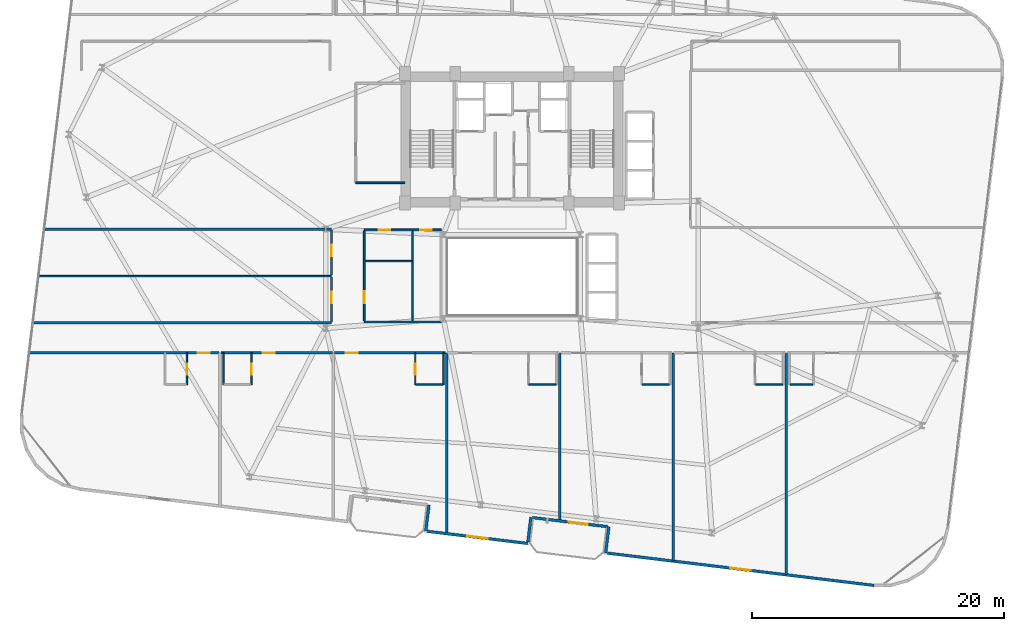
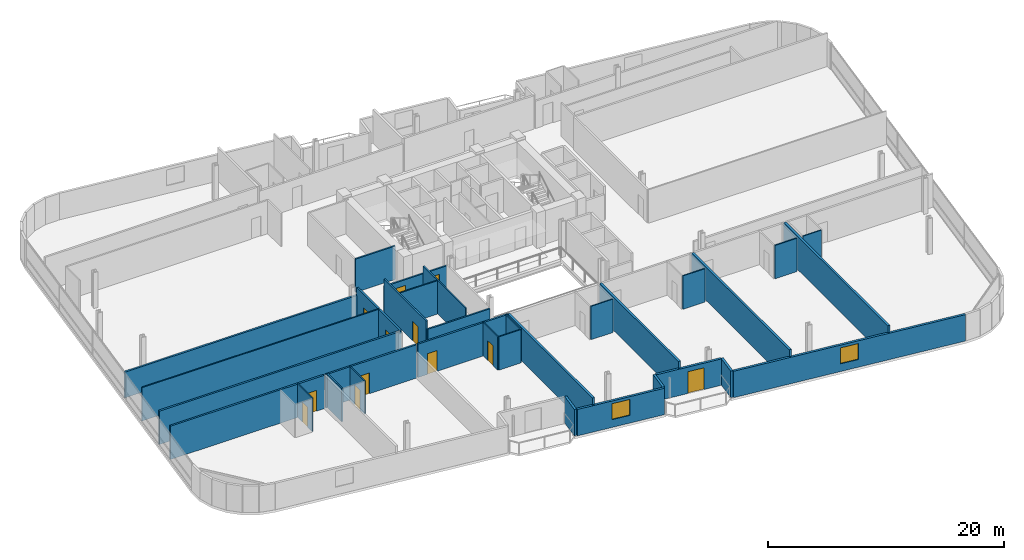
# One storey, part 20 of 26: 34 walls, 12 doors, 2 windows, 14 openings.
"""IFC4 building model written with IfcOpenShell, lengths in metres."""

from ifc_helpers import new_model, si_unit, direction, frame, frame_2d, origin, place, context, subcontext, project, spatial, rectangle, extrude, material, layer, layer_set, type_object, element, fill, save


model = new_model("IFC4")

# Units and contexts
model_context = context("Model", 3, precision=1e-05, world=origin(), true_north=direction((0.0, 1.0)))
body_context = subcontext(model_context, "Body", "Model", "MODEL_VIEW")
ifc_project = project(units=[si_unit("LENGTHUNIT", "METRE"), si_unit("AREAUNIT", "SQUARE_METRE"), si_unit("VOLUMEUNIT", "CUBIC_METRE"), si_unit("PLANEANGLEUNIT", "RADIAN"), si_unit("MASSUNIT", "GRAM", prefix="KILO")], contexts=[model_context])

# Site, building, storey
site_placement = place(None, origin())
site = spatial("IfcSite", under=ifc_project, at=site_placement, CompositionType="ELEMENT")
building_placement = place(site_placement, origin())
building = spatial("IfcBuilding", under=site, at=building_placement, Name="Varnelok Gate Tower", CompositionType="ELEMENT")
storey_placement = place(building_placement, frame((0.0, 0.0, 151.300048828125)))
storey = spatial("IfcBuildingStorey", under=building, at=storey_placement, Name="L38", CompositionType="ELEMENT", Elevation=151.300048828125)

# Wall, opening, door
ifc_material_1 = material(Name="Concrete C45/55", Category="concrete")
ifc_layer_1 = layer(ifc_material_1, 0.219970703125)
ifc_layer_set_1 = layer_set([ifc_layer_1], Name="Concrete C45/55")
wall_type_1 = type_object("IfcWallType", Name="EW-BALC-220", PredefinedType="SOLIDWALL", material=ifc_layer_set_1)
wall_1_placement = place(storey_placement, frame((46.77587890625, 3.03662109375, 0.0), z_axis=(0.0, 0.0, 1.0), x_axis=(-0.992735402148, 0.120318000826, 0.0)))
wall_1 = element("IfcWall", 1, at=wall_1_placement, inside=storey, type_object=wall_type_1, Name="L38 South Terrace Envelope Wall 2", PredefinedType="SOLIDWALL", context=body_context, shape_type="SweptSolid", body=[
    extrude(rectangle(XDim=6.000244140625, YDim=0.219970703125, at=frame_2d((3.0, 0.0))), origin(), (0.0, 0.0, 1.0), 2.72998046875),
])
opening_1_placement = place(wall_1_placement, frame((1.583984375, 0.0, 0.0)))
opening_1 = element("IfcOpeningElement", 2, at=opening_1_placement, cuts=wall_1, Name="Opening BD-1", PredefinedType="OPENING", context=body_context, shape_type="SweptSolid", body=[
    extrude(rectangle(XDim=1.5, YDim=2.25, at=frame_2d((0.75, 1.125))), frame((0.0, 0.119873046875, 0.0), z_axis=(0.0, -1.0, 0.0), x_axis=(1.0, 0.0, 0.0)), (0.0, 0.0, 1.0), 0.239990234375),
])
ifc_material_2 = material(Name="Anodized Aluminum Alloy 6063-T6", Category="aluminium")
door_type_1 = type_object("IfcDoorType", Name="DR-EXT-BALC1500", OperationType="NOTDEFINED", PredefinedType="DOOR", material=ifc_material_2)
door_1_placement = place(opening_1_placement, origin())
door_1 = element("IfcDoor", 3, at=door_1_placement, inside=storey, type_object=door_type_1, Name="L38 South Balcony Glazed Door 2", OperationType="SINGLE_SWING_LEFT", OverallHeight=2.25, OverallWidth=1.5, PredefinedType="DOOR", context=body_context, shape_type="SweptSolid", body=[
    extrude(rectangle(XDim=1.5, YDim=2.25, at=frame_2d((0.75, 1.125))), frame((0.0, 0.02490234375, 0.0), z_axis=(0.0, -1.0, 0.0), x_axis=(1.0, 0.0, 0.0)), (0.0, 0.0, 1.0), 0.050048828125),
])
fill(opening_1, door_1)

# Wall
wall_2_placement = place(storey_placement, frame((32.600830078125, 4.764892578125, 0.0), z_axis=(0.0, 0.0, 1.0), x_axis=(-0.120327895535, -0.992734202874, 0.0)))
element("IfcWall", 4, at=wall_2_placement, inside=storey, type_object=wall_type_1, Name="L38 Perimeter Facade Closure Wall 9", PredefinedType="SOLIDWALL", context=body_context, shape_type="SweptSolid", body=[
    extrude(rectangle(XDim=2.099853515625, YDim=0.219970703125, at=frame_2d((1.0498046875, 0.0))), origin(), (0.0, 0.0, 1.0), 2.72998046875),
])

# Wall, opening, window
wall_3_placement = place(storey_placement, frame((32.47216796875, 2.6650390625, 0.0), z_axis=(0.0, 0.0, 1.0), x_axis=(0.992734661931, -0.120324108143, 0.0)))
wall_3 = element("IfcWall", 5, at=wall_3_placement, inside=storey, type_object=wall_type_1, Name="L38 Perimeter Facade Closure Wall 10", PredefinedType="SOLIDWALL", context=body_context, shape_type="SweptSolid", body=[
    extrude(rectangle(XDim=8.034912109375, YDim=0.219970703125, at=frame_2d((4.017578125, 0.0))), origin(), (0.0, 0.0, 1.0), 2.72998046875),
])
opening_2_placement = place(wall_3_placement, frame((3.1923828125, 0.0, 0.800048828125)))
opening_2 = element("IfcOpeningElement", 6, at=opening_2_placement, cuts=wall_3, Name="Opening WN3", PredefinedType="OPENING", context=body_context, shape_type="SweptSolid", body=[
    extrude(rectangle(XDim=1.64990234375, YDim=1.64990234375, at=frame_2d((0.824951171875, 0.824951171875))), frame((0.0, 0.119873046875, 0.0), z_axis=(0.0, -1.0, 0.0), x_axis=(1.0, 0.0, 0.0)), (0.0, 0.0, 1.0), 0.239990234375),
])
ifc_material_3 = material(Name="Low-E Laminated Double Glazing IGU", Category="glass")
window_type = type_object("IfcWindowType", Name="WN-HTL-1650", PartitioningType="SINGLE_PANEL", PredefinedType="WINDOW", material=ifc_material_3)
window_1_placement = place(opening_2_placement, origin())
window_1 = element("IfcWindow", 7, at=window_1_placement, inside=storey, type_object=window_type, Name="L38 Perimeter Vision Window 10", OverallHeight=1.64990234375, OverallWidth=1.64990234375, PartitioningType="SINGLE_PANEL", PredefinedType="WINDOW", context=body_context, shape_type="SweptSolid", body=[
    extrude(rectangle(XDim=1.64990234375, YDim=1.64990234375, at=frame_2d((0.824951171875, 0.824951171875))), frame((0.0, 0.030029296875, 0.0), z_axis=(0.0, -1.0, 0.0), x_axis=(1.0, 0.0, 0.0)), (0.0, 0.0, 1.0), 0.06005859375),
])
fill(opening_2, window_1)

# Walls
wall_4_placement = place(storey_placement, frame((40.4638671875, 1.822265625, 0.0), z_axis=(0.0, 0.0, 1.0), x_axis=(0.120275992932, 0.992740492538, 0.0)))
element("IfcWall", 8, at=wall_4_placement, inside=storey, type_object=wall_type_1, Name="L38 Perimeter Facade Closure Wall 11", PredefinedType="SOLIDWALL", context=body_context, shape_type="SweptSolid", body=[
    extrude(rectangle(XDim=1.97509765625, YDim=0.219970703125, at=frame_2d((0.987548828125, 0.0))), origin(), (0.0, 0.0, 1.0), 2.72998046875),
])
wall_5_placement = place(storey_placement, frame((46.89599609375, 3.031982421875, 0.0), z_axis=(0.0, 0.0, 1.0), x_axis=(-0.120327895535, -0.992734202874, 0.0)))
element("IfcWall", 9, at=wall_5_placement, inside=storey, type_object=wall_type_1, Name="L38 Perimeter Facade Closure Wall 12", PredefinedType="SOLIDWALL", context=body_context, shape_type="SweptSolid", body=[
    extrude(rectangle(XDim=2.099853515625, YDim=0.219970703125, at=frame_2d((1.0498046875, 0.0))), origin(), (0.0, 0.0, 1.0), 2.72998046875),
])

# Wall, opening, window
wall_6_placement = place(storey_placement, frame((46.767578125, 0.93212890625, 0.0), z_axis=(0.0, 0.0, 1.0), x_axis=(0.992733036814, -0.120337515419, 0.0)))
wall_6 = element("IfcWall", 10, at=wall_6_placement, inside=storey, type_object=wall_type_1, Name="L38 Perimeter Facade Closure Wall 13", PredefinedType="SOLIDWALL", context=body_context, shape_type="SweptSolid", body=[
    extrude(rectangle(XDim=21.346923828125, YDim=0.219970703125, at=frame_2d((10.67333984375, 0.0))), origin(), (0.0, 0.0, 1.0), 2.72998046875),
])
opening_3_placement = place(wall_6_placement, frame((9.8486328125, 0.0, 0.800048828125)))
opening_3 = element("IfcOpeningElement", 11, at=opening_3_placement, cuts=wall_6, Name="Opening WN3", PredefinedType="OPENING", context=body_context, shape_type="SweptSolid", body=[
    extrude(rectangle(XDim=1.64990234375, YDim=1.64990234375, at=frame_2d((0.824951171875, 0.824951171875))), frame((0.0, 0.119873046875, 0.0), z_axis=(0.0, -1.0, 0.0), x_axis=(1.0, 0.0, 0.0)), (0.0, 0.0, 1.0), 0.239990234375),
])
window_2_placement = place(opening_3_placement, origin())
window_2 = element("IfcWindow", 12, at=window_2_placement, inside=storey, type_object=window_type, Name="L38 Perimeter Vision Window 13", OverallHeight=1.64990234375, OverallWidth=1.64990234375, PartitioningType="SINGLE_PANEL", PredefinedType="WINDOW", context=body_context, shape_type="SweptSolid", body=[
    extrude(rectangle(XDim=1.64990234375, YDim=1.64990234375, at=frame_2d((0.824951171875, 0.824951171875))), frame((0.0, 0.030029296875, 0.0), z_axis=(0.0, -1.0, 0.0), x_axis=(1.0, 0.0, 0.0)), (0.0, 0.0, 1.0), 0.06005859375),
])
fill(opening_3, window_2)

# Wall, opening, door
ifc_material_4 = material(Name="Gypsum Plasterboard Acoustic Partition", Category="gypsum")
ifc_layer_2 = layer(ifc_material_4, 0.179931640625)
ifc_layer_set_2 = layer_set([ifc_layer_2], Name="Gypsum Plasterboard Acoustic Partition")
wall_type_2 = type_object("IfcWallType", Name="PW-CORR-180", PredefinedType="PARTITIONING", material=ifc_layer_set_2)
wall_7_placement = place(storey_placement, frame((0.88427734375, 16.85009765625, 0.0), z_axis=(0.0, 0.0, 1.0), x_axis=(1.0, 0.0, 0.0)))
wall_7 = element("IfcWall", 13, at=wall_7_placement, inside=storey, type_object=wall_type_2, Name="Interior Partition", PredefinedType="PARTITIONING", context=body_context, shape_type="SweptSolid", body=[
    extrude(rectangle(XDim=15.03564453125, YDim=0.179931640625, at=frame_2d((7.517822265625, 0.0))), origin(), (0.0, 0.0, 1.0), 3.449951171875),
])
opening_4_placement = place(wall_7_placement, frame((13.329345703125, 0.0, 0.0)))
opening_4 = element("IfcOpeningElement", 14, at=opening_4_placement, cuts=wall_7, Name="Opening D-HT", PredefinedType="OPENING", context=body_context, shape_type="SweptSolid", body=[
    extrude(rectangle(XDim=0.949951171875, YDim=2.14990234375, at=frame_2d((0.47509765625, 1.074951171875))), frame((0.0, 0.099853515625, 0.0), z_axis=(0.0, -1.0, 0.0), x_axis=(1.0, 0.0, 0.0)), (0.0, 0.0, 1.0), 0.199951171875),
])
ifc_material_5 = material(Name="Engineered Hardwood Timber", Category="wood")
door_type_2 = type_object("IfcDoorType", Name="DR-HTL-950", OperationType="NOTDEFINED", PredefinedType="DOOR", material=ifc_material_5)
door_2_placement = place(opening_4_placement, origin())
door_2 = element("IfcDoor", 15, at=door_2_placement, inside=storey, type_object=door_type_2, Name="L38 Guest Room 01 Entrance Door", OperationType="SINGLE_SWING_RIGHT", OverallHeight=2.14990234375, OverallWidth=0.949951171875, PredefinedType="DOOR", context=body_context, shape_type="SweptSolid", body=[
    extrude(rectangle(XDim=0.949951171875, YDim=2.14990234375, at=frame_2d((0.47509765625, 1.074951171875))), frame((0.0, 0.02490234375, 0.0), z_axis=(0.0, -1.0, 0.0), x_axis=(1.0, 0.0, 0.0)), (0.0, 0.0, 1.0), 0.050048828125),
])
fill(opening_4, door_2)

wall_8_placement = place(storey_placement, frame((16.080078125, 16.85009765625, 0.0), z_axis=(0.0, 0.0, 1.0), x_axis=(1.0, 0.0, 0.0)))
wall_8 = element("IfcWall", 16, at=wall_8_placement, inside=storey, type_object=wall_type_2, Name="Interior Partition", PredefinedType="PARTITIONING", context=body_context, shape_type="SweptSolid", body=[
    extrude(rectangle(XDim=8.83984375, YDim=0.179931640625, at=frame_2d((4.419921875, 0.0))), origin(), (0.0, 0.0, 1.0), 3.449951171875),
])
opening_5_placement = place(wall_8_placement, frame((3.307861328125, 0.0, 0.0)))
opening_5 = element("IfcOpeningElement", 17, at=opening_5_placement, cuts=wall_8, Name="Opening D-HT", PredefinedType="OPENING", context=body_context, shape_type="SweptSolid", body=[
    extrude(rectangle(XDim=0.949951171875, YDim=2.14990234375, at=frame_2d((0.47509765625, 1.074951171875))), frame((0.0, 0.099853515625, 0.0), z_axis=(0.0, -1.0, 0.0), x_axis=(1.0, 0.0, 0.0)), (0.0, 0.0, 1.0), 0.199951171875),
])
door_3_placement = place(opening_5_placement, origin())
door_3 = element("IfcDoor", 18, at=door_3_placement, inside=storey, type_object=door_type_2, Name="L38 Guest Room 02 Entrance Door", OperationType="SINGLE_SWING_LEFT", OverallHeight=2.14990234375, OverallWidth=0.949951171875, PredefinedType="DOOR", context=body_context, shape_type="SweptSolid", body=[
    extrude(rectangle(XDim=0.949951171875, YDim=2.14990234375, at=frame_2d((0.47509765625, 1.074951171875))), frame((0.0, 0.02490234375, 0.0), z_axis=(0.0, -1.0, 0.0), x_axis=(1.0, 0.0, 0.0)), (0.0, 0.0, 1.0), 0.050048828125),
])
fill(opening_5, door_3)

wall_9_placement = place(storey_placement, frame((25.080078125, 16.85009765625, 0.0), z_axis=(0.0, 0.0, 1.0), x_axis=(1.0, 0.0, 0.0)))
wall_9 = element("IfcWall", 19, at=wall_9_placement, inside=storey, type_object=wall_type_2, Name="Interior Partition", PredefinedType="PARTITIONING", context=body_context, shape_type="SweptSolid", body=[
    extrude(rectangle(XDim=8.83984375, YDim=0.179931640625, at=frame_2d((4.419921875, 0.0))), origin(), (0.0, 0.0, 1.0), 3.449951171875),
])
opening_6_placement = place(wall_9_placement, frame((0.91796875, 0.0, 0.0)))
opening_6 = element("IfcOpeningElement", 20, at=opening_6_placement, cuts=wall_9, Name="Opening D-HT", PredefinedType="OPENING", context=body_context, shape_type="SweptSolid", body=[
    extrude(rectangle(XDim=0.949951171875, YDim=2.14990234375, at=frame_2d((0.47509765625, 1.074951171875))), frame((0.0, 0.099853515625, 0.0), z_axis=(0.0, -1.0, 0.0), x_axis=(1.0, 0.0, 0.0)), (0.0, 0.0, 1.0), 0.199951171875),
])
door_4_placement = place(opening_6_placement, origin())
door_4 = element("IfcDoor", 21, at=door_4_placement, inside=storey, type_object=door_type_2, Name="L38 Guest Room 03 Entrance Door", OperationType="SINGLE_SWING_RIGHT", OverallHeight=2.14990234375, OverallWidth=0.949951171875, PredefinedType="DOOR", context=body_context, shape_type="SweptSolid", body=[
    extrude(rectangle(XDim=0.949951171875, YDim=2.14990234375, at=frame_2d((0.47509765625, 1.074951171875))), frame((0.0, 0.02490234375, 0.0), z_axis=(0.0, -1.0, 0.0), x_axis=(1.0, 0.0, 0.0)), (0.0, 0.0, 1.0), 0.050048828125),
])
fill(opening_6, door_4)

wall_10_placement = place(storey_placement, frame((24.85009765625, 19.300048828125, 0.0), z_axis=(0.0, 0.0, 1.0), x_axis=(0.0, 1.0, 0.0)))
wall_10 = element("IfcWall", 22, at=wall_10_placement, inside=storey, type_object=wall_type_2, Name="Interior Partition", PredefinedType="PARTITIONING", context=body_context, shape_type="SweptSolid", body=[
    extrude(rectangle(XDim=3.570068359375, YDim=0.179931640625, at=frame_2d((1.78515625, 0.0))), origin(), (0.0, 0.0, 1.0), 3.449951171875),
])
opening_7_placement = place(wall_10_placement, frame((1.49951171875, 0.0, 0.0)))
opening_7 = element("IfcOpeningElement", 23, at=opening_7_placement, cuts=wall_10, Name="Opening D-I3", PredefinedType="OPENING", context=body_context, shape_type="SweptSolid", body=[
    extrude(rectangle(XDim=0.919921875, YDim=2.050048828125, at=frame_2d((0.4599609375, 1.02490234375))), frame((0.0, 0.099853515625, 0.0), z_axis=(0.0, -1.0, 0.0), x_axis=(1.0, 0.0, 0.0)), (0.0, 0.0, 1.0), 0.199951171875),
])
door_type_3 = type_object("IfcDoorType", Name="DR-INT-920", OperationType="NOTDEFINED", PredefinedType="DOOR", material=ifc_material_5)
door_5_placement = place(opening_7_placement, origin())
door_5 = element("IfcDoor", 24, at=door_5_placement, inside=storey, type_object=door_type_3, Name="L38 West Wing Room 1 Door", OperationType="SINGLE_SWING_LEFT", OverallHeight=2.050048828125, OverallWidth=0.919921875, PredefinedType="DOOR", context=body_context, shape_type="SweptSolid", body=[
    extrude(rectangle(XDim=0.919921875, YDim=2.050048828125, at=frame_2d((0.4599609375, 1.02490234375))), frame((0.0, 0.02490234375, 0.0), z_axis=(0.0, -1.0, 0.0), x_axis=(1.0, 0.0, 0.0)), (0.0, 0.0, 1.0), 0.050048828125),
])
fill(opening_7, door_5)

wall_11_placement = place(storey_placement, frame((24.85009765625, 23.030029296875, 0.0), z_axis=(0.0, 0.0, 1.0), x_axis=(0.0, 1.0, 0.0)))
wall_11 = element("IfcWall", 25, at=wall_11_placement, inside=storey, type_object=wall_type_2, Name="Interior Partition", PredefinedType="PARTITIONING", context=body_context, shape_type="SweptSolid", body=[
    extrude(rectangle(XDim=3.570068359375, YDim=0.179931640625, at=frame_2d((1.78515625, 0.0))), origin(), (0.0, 0.0, 1.0), 3.449951171875),
])
opening_8_placement = place(wall_11_placement, frame((1.49951171875, 0.0, 0.0)))
opening_8 = element("IfcOpeningElement", 26, at=opening_8_placement, cuts=wall_11, Name="Opening D-I3", PredefinedType="OPENING", context=body_context, shape_type="SweptSolid", body=[
    extrude(rectangle(XDim=0.919921875, YDim=2.050048828125, at=frame_2d((0.4599609375, 1.02490234375))), frame((0.0, 0.099853515625, 0.0), z_axis=(0.0, -1.0, 0.0), x_axis=(1.0, 0.0, 0.0)), (0.0, 0.0, 1.0), 0.199951171875),
])
door_6_placement = place(opening_8_placement, origin())
door_6 = element("IfcDoor", 27, at=door_6_placement, inside=storey, type_object=door_type_3, Name="L38 West Wing Room 2 Door", OperationType="SINGLE_SWING_RIGHT", OverallHeight=2.050048828125, OverallWidth=0.919921875, PredefinedType="DOOR", context=body_context, shape_type="SweptSolid", body=[
    extrude(rectangle(XDim=0.919921875, YDim=2.050048828125, at=frame_2d((0.4599609375, 1.02490234375))), frame((0.0, 0.02490234375, 0.0), z_axis=(0.0, -1.0, 0.0), x_axis=(1.0, 0.0, 0.0)), (0.0, 0.0, 1.0), 0.050048828125),
])
fill(opening_8, door_6)

# Walls
wall_12_placement = place(storey_placement, frame((1.174072265625, 19.239990234375, 0.0), z_axis=(0.0, 0.0, 1.0), x_axis=(1.0, 0.0, 0.0)))
element("IfcWall", 28, at=wall_12_placement, inside=storey, type_object=wall_type_2, Name="Interior Partition", PredefinedType="PARTITIONING", context=body_context, shape_type="SweptSolid", body=[
    extrude(rectangle(XDim=23.676025390625, YDim=0.179931640625, at=frame_2d((11.837890625, 0.0))), origin(), (0.0, 0.0, 1.0), 3.449951171875),
])
wall_13_placement = place(storey_placement, frame((2.073486328125, 26.659912109375, 0.0), z_axis=(0.0, 0.0, 1.0), x_axis=(1.0, 0.0, 0.0)))
element("IfcWall", 29, at=wall_13_placement, inside=storey, type_object=wall_type_2, Name="Interior Partition", PredefinedType="PARTITIONING", context=body_context, shape_type="SweptSolid", body=[
    extrude(rectangle(XDim=22.776611328125, YDim=0.179931640625, at=frame_2d((11.38818359375, 0.0))), origin(), (0.0, 0.0, 1.0), 2.661865234375),
])

# Wall, opening, door
ifc_layer_3 = layer(ifc_material_4, 0.114990234375)
ifc_layer_set_3 = layer_set([ifc_layer_3], Name="Gypsum Plasterboard Acoustic Partition")
wall_type_3 = type_object("IfcWallType", Name="PW-ENS-125", PredefinedType="PARTITIONING", material=ifc_layer_set_3)
wall_14_placement = place(storey_placement, frame((13.3701171875, 14.330078125, 0.0), z_axis=(0.0, 0.0, 1.0), x_axis=(0.0, 1.0, 0.0)))
wall_14 = element("IfcWall", 30, at=wall_14_placement, inside=storey, type_object=wall_type_3, Name="Interior Partition", PredefinedType="PARTITIONING", context=body_context, shape_type="SweptSolid", body=[
    extrude(rectangle(XDim=2.52001953125, YDim=0.114990234375, at=frame_2d((1.260009765625, 0.0))), origin(), (0.0, 0.0, 1.0), 3.449951171875),
])
opening_9_placement = place(wall_14_placement, frame((0.760009765625, 0.0, 0.0)))
opening_9 = element("IfcOpeningElement", 31, at=opening_9_placement, cuts=wall_14, Name="Opening D-WC", PredefinedType="OPENING", context=body_context, shape_type="SweptSolid", body=[
    extrude(rectangle(XDim=0.89990234375, YDim=2.050048828125, at=frame_2d((0.449951171875, 1.02490234375))), frame((0.0, 0.0673828125, 0.0), z_axis=(0.0, -1.0, 0.0), x_axis=(1.0, 0.0, 0.0)), (0.0, 0.0, 1.0), 0.135009765625),
])
door_type_4 = type_object("IfcDoorType", Name="DR-BATH-900", OperationType="NOTDEFINED", PredefinedType="DOOR", material=ifc_material_5)
door_7_placement = place(opening_9_placement, origin())
door_7 = element("IfcDoor", 32, at=door_7_placement, inside=storey, type_object=door_type_4, Name="L38 Guest En-Suite 01 Door", OperationType="SINGLE_SWING_LEFT", OverallHeight=2.050048828125, OverallWidth=0.89990234375, PredefinedType="DOOR", context=body_context, shape_type="SweptSolid", body=[
    extrude(rectangle(XDim=0.89990234375, YDim=2.050048828125, at=frame_2d((0.449951171875, 1.02490234375))), frame((0.0, 0.02490234375, 0.0), z_axis=(0.0, -1.0, 0.0), x_axis=(1.0, 0.0, 0.0)), (0.0, 0.0, 1.0), 0.050048828125),
])
fill(opening_9, door_7)

wall_15_placement = place(storey_placement, frame((18.489990234375, 14.330078125, 0.0), z_axis=(0.0, 0.0, 1.0), x_axis=(0.0, 1.0, 0.0)))
wall_15 = element("IfcWall", 33, at=wall_15_placement, inside=storey, type_object=wall_type_3, Name="Interior Partition", PredefinedType="PARTITIONING", context=body_context, shape_type="SweptSolid", body=[
    extrude(rectangle(XDim=2.52001953125, YDim=0.114990234375, at=frame_2d((1.260009765625, 0.0))), origin(), (0.0, 0.0, 1.0), 3.449951171875),
])
opening_10_placement = place(wall_15_placement, frame((0.760009765625, 0.0, 0.0)))
opening_10 = element("IfcOpeningElement", 34, at=opening_10_placement, cuts=wall_15, Name="Opening D-WC", PredefinedType="OPENING", context=body_context, shape_type="SweptSolid", body=[
    extrude(rectangle(XDim=0.89990234375, YDim=2.050048828125, at=frame_2d((0.449951171875, 1.02490234375))), frame((0.0, 0.0673828125, 0.0), z_axis=(0.0, -1.0, 0.0), x_axis=(1.0, 0.0, 0.0)), (0.0, 0.0, 1.0), 0.135009765625),
])
door_8_placement = place(opening_10_placement, origin())
door_8 = element("IfcDoor", 35, at=door_8_placement, inside=storey, type_object=door_type_4, Name="L38 Guest En-Suite 02 Door", OperationType="SINGLE_SWING_LEFT", OverallHeight=2.050048828125, OverallWidth=0.89990234375, PredefinedType="DOOR", context=body_context, shape_type="SweptSolid", body=[
    extrude(rectangle(XDim=0.89990234375, YDim=2.050048828125, at=frame_2d((0.449951171875, 1.02490234375))), frame((0.0, 0.02490234375, 0.0), z_axis=(0.0, -1.0, 0.0), x_axis=(1.0, 0.0, 0.0)), (0.0, 0.0, 1.0), 0.050048828125),
])
fill(opening_10, door_8)

# Walls
wall_16_placement = place(storey_placement, frame((16.260009765625, 14.330078125, 0.0), z_axis=(0.0, 0.0, 1.0), x_axis=(0.0, 1.0, 0.0)))
element("IfcWall", 36, at=wall_16_placement, inside=storey, type_object=wall_type_3, Name="Interior Partition", PredefinedType="PARTITIONING", context=body_context, shape_type="SweptSolid", body=[
    extrude(rectangle(XDim=2.52001953125, YDim=0.114990234375, at=frame_2d((1.260009765625, 0.0))), origin(), (0.0, 0.0, 1.0), 3.449951171875),
])
wall_17_placement = place(storey_placement, frame((31.550048828125, 14.330078125, 0.0), z_axis=(0.0, 0.0, 1.0), x_axis=(1.0, 0.0, 0.0)))
element("IfcWall", 37, at=wall_17_placement, inside=storey, type_object=wall_type_3, Name="Interior Partition", PredefinedType="PARTITIONING", context=body_context, shape_type="SweptSolid", body=[
    extrude(rectangle(XDim=2.14990234375, YDim=0.114990234375, at=frame_2d((1.074951171875, 0.0))), origin(), (0.0, 0.0, 1.0), 3.449951171875),
])

# Wall, opening, door
wall_18_placement = place(storey_placement, frame((31.510009765625, 14.330078125, 0.0), z_axis=(0.0, 0.0, 1.0), x_axis=(0.0, 1.0, 0.0)))
wall_18 = element("IfcWall", 38, at=wall_18_placement, inside=storey, type_object=wall_type_3, Name="Interior Partition", PredefinedType="PARTITIONING", context=body_context, shape_type="SweptSolid", body=[
    extrude(rectangle(XDim=2.52001953125, YDim=0.114990234375, at=frame_2d((1.260009765625, 0.0))), origin(), (0.0, 0.0, 1.0), 3.449951171875),
])
opening_11_placement = place(wall_18_placement, frame((0.760009765625, 0.0, 0.0)))
opening_11 = element("IfcOpeningElement", 39, at=opening_11_placement, cuts=wall_18, Name="Opening D-WC", PredefinedType="OPENING", context=body_context, shape_type="SweptSolid", body=[
    extrude(rectangle(XDim=0.89990234375, YDim=2.050048828125, at=frame_2d((0.449951171875, 1.02490234375))), frame((0.0, 0.0673828125, 0.0), z_axis=(0.0, -1.0, 0.0), x_axis=(1.0, 0.0, 0.0)), (0.0, 0.0, 1.0), 0.135009765625),
])
door_9_placement = place(opening_11_placement, origin())
door_9 = element("IfcDoor", 40, at=door_9_placement, inside=storey, type_object=door_type_4, Name="L38 Guest En-Suite 03 Door", OperationType="SINGLE_SWING_RIGHT", OverallHeight=2.050048828125, OverallWidth=0.89990234375, PredefinedType="DOOR", context=body_context, shape_type="SweptSolid", body=[
    extrude(rectangle(XDim=0.89990234375, YDim=2.050048828125, at=frame_2d((0.449951171875, 1.02490234375))), frame((0.0, 0.02490234375, 0.0), z_axis=(0.0, -1.0, 0.0), x_axis=(1.0, 0.0, 0.0)), (0.0, 0.0, 1.0), 0.050048828125),
])
fill(opening_11, door_9)

# Walls
wall_19_placement = place(storey_placement, frame((33.739990234375, 14.330078125, 0.0), z_axis=(0.0, 0.0, 1.0), x_axis=(0.0, 1.0, 0.0)))
element("IfcWall", 41, at=wall_19_placement, inside=storey, type_object=wall_type_3, Name="Interior Partition", PredefinedType="PARTITIONING", context=body_context, shape_type="SweptSolid", body=[
    extrude(rectangle(XDim=2.52001953125, YDim=0.114990234375, at=frame_2d((1.260009765625, 0.0))), origin(), (0.0, 0.0, 1.0), 3.449951171875),
])
for number, where, z_axis, x_axis, name in (
    (42, (40.550048828125, 14.330078125, 0.0), (0.0, 0.0, 1.0), (1.0, 0.0, 0.0), "Interior Partition"),
    (43, (49.550048828125, 14.330078125, 0.0), (0.0, 0.0, 1.0), (1.0, 0.0, 0.0), "Interior Partition"),
    (44, (58.550048828125, 14.330078125, 0.0), (0.0, 0.0, 1.0), (1.0, 0.0, 0.0), "Interior Partition"),
):
    element("IfcWall", number, at=place(storey_placement, frame(where, z_axis=z_axis, x_axis=x_axis)), inside=storey, type_object=wall_type_3, Name=name, PredefinedType="PARTITIONING", context=body_context, shape_type="SweptSolid", body=[
        extrude(rectangle(XDim=2.14990234375, YDim=0.114990234375, at=frame_2d((1.074951171875, 0.0))), origin(), (0.0, 0.0, 1.0), 3.449951171875),
    ])
wall_20_placement = place(storey_placement, frame((61.300048828125, 14.330078125, 0.0), z_axis=(0.0, 0.0, 1.0), x_axis=(1.0, 0.0, 0.0)))
element("IfcWall", 45, at=wall_20_placement, inside=storey, type_object=wall_type_3, Name="Interior Partition", PredefinedType="PARTITIONING", context=body_context, shape_type="SweptSolid", body=[
    extrude(rectangle(XDim=1.80712890625, YDim=0.114990234375, at=frame_2d((0.903564453125, 0.0))), origin(), (0.0, 0.0, 1.0), 3.449951171875),
])
ifc_layer_4 = layer(ifc_material_4, 0.125)
ifc_layer_set_4 = layer_set([ifc_layer_4], Name="Gypsum Plasterboard Acoustic Partition")
wall_type_4 = type_object("IfcWallType", Name="PW-PART-125", PredefinedType="PARTITIONING", material=ifc_layer_set_4)
wall_21_placement = place(storey_placement, frame((1.623779296875, 22.949951171875, 0.0), z_axis=(0.0, 0.0, 1.0), x_axis=(1.0, 0.0, 0.0)))
element("IfcWall", 46, at=wall_21_placement, inside=storey, type_object=wall_type_4, Name="Interior Partition", PredefinedType="PARTITIONING", context=body_context, shape_type="SweptSolid", body=[
    extrude(rectangle(XDim=23.226318359375, YDim=0.125, at=frame_2d((11.61328125, 0.0))), origin(), (0.0, 0.0, 1.0), 3.449951171875),
])
wall_22_placement = place(storey_placement, frame((31.280029296875, 19.3798828125, 0.0), z_axis=(0.0, 0.0, 1.0), x_axis=(0.0, 1.0, 0.0)))
element("IfcWall", 47, at=wall_22_placement, inside=storey, type_object=wall_type_4, Name="Interior Partition", PredefinedType="PARTITIONING", context=body_context, shape_type="SweptSolid", body=[
    extrude(rectangle(XDim=7.16015625, YDim=0.125, at=frame_2d((3.580078125, 0.0))), origin(), (0.0, 0.0, 1.0), 3.449951171875),
])
wall_23_placement = place(storey_placement, frame((27.52001953125, 24.1298828125, 0.0), z_axis=(0.0, 0.0, 1.0), x_axis=(1.0, 0.0, 0.0)))
element("IfcWall", 48, at=wall_23_placement, inside=storey, type_object=wall_type_4, Name="Interior Partition", PredefinedType="PARTITIONING", context=body_context, shape_type="SweptSolid", body=[
    extrude(rectangle(XDim=3.699951171875, YDim=0.125, at=frame_2d((1.85009765625, 0.0))), origin(), (0.0, 0.0, 1.0), 3.449951171875),
])
ifc_layer_5 = layer(ifc_material_4, 0.14990234375)
ifc_layer_set_5 = layer_set([ifc_layer_5], Name="Gypsum Plasterboard Acoustic Partition")
wall_type_5 = type_object("IfcWallType", Name="PW-PART-150", PredefinedType="PARTITIONING", material=ifc_layer_set_5)
wall_24_placement = place(storey_placement, frame((27.4599609375, 19.300048828125, 0.0), z_axis=(0.0, 0.0, 1.0), x_axis=(1.0, 0.0, 0.0)))
element("IfcWall", 49, at=wall_24_placement, inside=storey, type_object=wall_type_5, Name="Interior Partition", PredefinedType="PARTITIONING", context=body_context, shape_type="SweptSolid", body=[
    extrude(rectangle(XDim=6.10009765625, YDim=0.14990234375, at=frame_2d((3.050048828125, 0.0))), origin(), (0.0, 0.0, 1.0), 2.661865234375),
])

# Wall, openings, doors
wall_25_placement = place(storey_placement, frame((27.4599609375, 26.6201171875, 0.0), z_axis=(0.0, 0.0, 1.0), x_axis=(1.0, 0.0, 0.0)))
wall_25 = element("IfcWall", 50, at=wall_25_placement, inside=storey, type_object=wall_type_5, Name="Interior Partition", PredefinedType="PARTITIONING", context=body_context, shape_type="SweptSolid", body=[
    extrude(rectangle(XDim=6.10009765625, YDim=0.14990234375, at=frame_2d((3.050048828125, 0.0))), origin(), (0.0, 0.0, 1.0), 2.661865234375),
])
opening_12_placement = place(wall_25_placement, frame((1.14990234375, 0.0, 0.0)))
opening_12 = element("IfcOpeningElement", 51, at=opening_12_placement, cuts=wall_25, Name="Opening D-WC", PredefinedType="OPENING", context=body_context, shape_type="SweptSolid", body=[
    extrude(rectangle(XDim=0.89990234375, YDim=2.050048828125, at=frame_2d((0.449951171875, 1.02490234375))), frame((0.0, 0.0849609375, 0.0), z_axis=(0.0, -1.0, 0.0), x_axis=(1.0, 0.0, 0.0)), (0.0, 0.0, 1.0), 0.169921875),
])
opening_13_placement = place(wall_25_placement, frame((4.449951171875, 0.0, 0.0)))
opening_13 = element("IfcOpeningElement", 52, at=opening_13_placement, cuts=wall_25, Name="Opening D-I3", PredefinedType="OPENING", context=body_context, shape_type="SweptSolid", body=[
    extrude(rectangle(XDim=0.919921875, YDim=2.050048828125, at=frame_2d((0.4599609375, 1.02490234375))), frame((0.0, 0.0849609375, 0.0), z_axis=(0.0, -1.0, 0.0), x_axis=(1.0, 0.0, 0.0)), (0.0, 0.0, 1.0), 0.169921875),
])
door_10_placement = place(opening_12_placement, origin())
door_10 = element("IfcDoor", 53, at=door_10_placement, inside=storey, type_object=door_type_4, Name="L38 Accessible Floor WC Door", OperationType="SINGLE_SWING_LEFT", OverallHeight=2.050048828125, OverallWidth=0.89990234375, PredefinedType="DOOR", context=body_context, shape_type="SweptSolid", body=[
    extrude(rectangle(XDim=0.89990234375, YDim=2.050048828125, at=frame_2d((0.449951171875, 1.02490234375))), frame((0.0, 0.02490234375, 0.0), z_axis=(0.0, -1.0, 0.0), x_axis=(1.0, 0.0, 0.0)), (0.0, 0.0, 1.0), 0.050048828125),
])
fill(opening_12, door_10)
door_11_placement = place(opening_13_placement, origin())
door_11 = element("IfcDoor", 54, at=door_11_placement, inside=storey, type_object=door_type_3, Name="L38 Valet Pantry Door", OperationType="SINGLE_SWING_RIGHT", OverallHeight=2.050048828125, OverallWidth=0.919921875, PredefinedType="DOOR", context=body_context, shape_type="SweptSolid", body=[
    extrude(rectangle(XDim=0.919921875, YDim=2.050048828125, at=frame_2d((0.4599609375, 1.02490234375))), frame((0.0, 0.02490234375, 0.0), z_axis=(0.0, -1.0, 0.0), x_axis=(1.0, 0.0, 0.0)), (0.0, 0.0, 1.0), 0.050048828125),
])
fill(opening_13, door_11)

# Wall, opening, door
wall_26_placement = place(storey_placement, frame((27.4599609375, 19.3798828125, 0.0), z_axis=(0.0, 0.0, 1.0), x_axis=(0.0, 1.0, 0.0)))
wall_26 = element("IfcWall", 55, at=wall_26_placement, inside=storey, type_object=wall_type_5, Name="Interior Partition", PredefinedType="PARTITIONING", context=body_context, shape_type="SweptSolid", body=[
    extrude(rectangle(XDim=7.16015625, YDim=0.14990234375, at=frame_2d((3.580078125, 0.0))), origin(), (0.0, 0.0, 1.0), 3.449951171875),
])
opening_14_placement = place(wall_26_placement, frame((1.39990234375, 0.0, 0.0)))
opening_14 = element("IfcOpeningElement", 56, at=opening_14_placement, cuts=wall_26, Name="Opening D-I2", PredefinedType="OPENING", context=body_context, shape_type="SweptSolid", body=[
    extrude(rectangle(XDim=0.949951171875, YDim=2.050048828125, at=frame_2d((0.47509765625, 1.02490234375))), frame((0.0, 0.0849609375, 0.0), z_axis=(0.0, -1.0, 0.0), x_axis=(1.0, 0.0, 0.0)), (0.0, 0.0, 1.0), 0.169921875),
])
door_type_5 = type_object("IfcDoorType", Name="DR-INT-950", OperationType="NOTDEFINED", PredefinedType="DOOR", material=ifc_material_5)
door_12_placement = place(opening_14_placement, origin())
door_12 = element("IfcDoor", 57, at=door_12_placement, inside=storey, type_object=door_type_5, Name="L38 Sky Library Door", OperationType="SINGLE_SWING_LEFT", OverallHeight=2.050048828125, OverallWidth=0.949951171875, PredefinedType="DOOR", context=body_context, shape_type="SweptSolid", body=[
    extrude(rectangle(XDim=0.949951171875, YDim=2.050048828125, at=frame_2d((0.47509765625, 1.02490234375))), frame((0.0, 0.02490234375, 0.0), z_axis=(0.0, -1.0, 0.0), x_axis=(1.0, 0.0, 0.0)), (0.0, 0.0, 1.0), 0.050048828125),
])
fill(opening_14, door_12)

# Walls
wall_27_placement = place(storey_placement, frame((26.780029296875, 30.360107421875, 0.0), z_axis=(0.0, 0.0, 1.0), x_axis=(1.0, 0.0, 0.0)))
element("IfcWall", 58, at=wall_27_placement, inside=storey, type_object=wall_type_5, Name="Interior Partition", PredefinedType="PARTITIONING", context=body_context, shape_type="SweptSolid", body=[
    extrude(rectangle(XDim=3.89990234375, YDim=0.14990234375, at=frame_2d((1.949951171875, 0.0))), origin(), (0.0, 0.0, 1.0), 3.449951171875),
])
ifc_layer_6 = layer(ifc_material_4, 0.205078125)
ifc_layer_set_6 = layer_set([ifc_layer_6], Name="Gypsum Plasterboard Acoustic Partition")
wall_type_6 = type_object("IfcWallType", Name="PW-PARTY-200", PredefinedType="PARTITIONING", material=ifc_layer_set_6)
wall_28_placement = place(storey_placement, frame((34.0, 2.5, 0.0), z_axis=(0.0, 0.0, 1.0), x_axis=(0.0, 1.0, 0.0)))
element("IfcWall", 59, at=wall_28_placement, inside=storey, type_object=wall_type_6, Name="L38 South Party Wall 3", PredefinedType="PARTITIONING", context=body_context, shape_type="SweptSolid", body=[
    extrude(rectangle(XDim=14.35009765625, YDim=0.205078125, at=frame_2d((7.175048828125, 0.0))), origin(), (0.0, 0.0, 1.0), 3.449951171875),
])
wall_29_placement = place(storey_placement, frame((43.0, 3.5244140625, 0.0), z_axis=(0.0, 0.0, 1.0), x_axis=(0.0, 1.0, 0.0)))
element("IfcWall", 60, at=wall_29_placement, inside=storey, type_object=wall_type_6, Name="L38 South Party Wall 4", PredefinedType="PARTITIONING", context=body_context, shape_type="SweptSolid", body=[
    extrude(rectangle(XDim=13.32568359375, YDim=0.205078125, at=frame_2d((6.662841796875, 0.0))), origin(), (0.0, 0.0, 1.0), 3.449951171875),
])
wall_30_placement = place(storey_placement, frame((52.0, 0.318115234375, 0.0), z_axis=(0.0, 0.0, 1.0), x_axis=(0.0, 1.0, 0.0)))
element("IfcWall", 61, at=wall_30_placement, inside=storey, type_object=wall_type_6, Name="L38 South Party Wall 5", PredefinedType="PARTITIONING", context=body_context, shape_type="SweptSolid", body=[
    extrude(rectangle(XDim=16.531982421875, YDim=0.205078125, at=frame_2d((8.26611328125, 0.0))), origin(), (0.0, 0.0, 1.0), 3.449951171875),
])
wall_31_placement = place(storey_placement, frame((61.0, -0.77294921875, 0.0), z_axis=(0.0, 0.0, 1.0), x_axis=(0.0, 1.0, 0.0)))
element("IfcWall", 62, at=wall_31_placement, inside=storey, type_object=wall_type_6, Name="L38 South Party Wall 6", PredefinedType="PARTITIONING", context=body_context, shape_type="SweptSolid", body=[
    extrude(rectangle(XDim=17.623046875, YDim=0.205078125, at=frame_2d((8.8115234375, 0.0))), origin(), (0.0, 0.0, 1.0), 3.449951171875),
])

save(model, "model.ifc")
